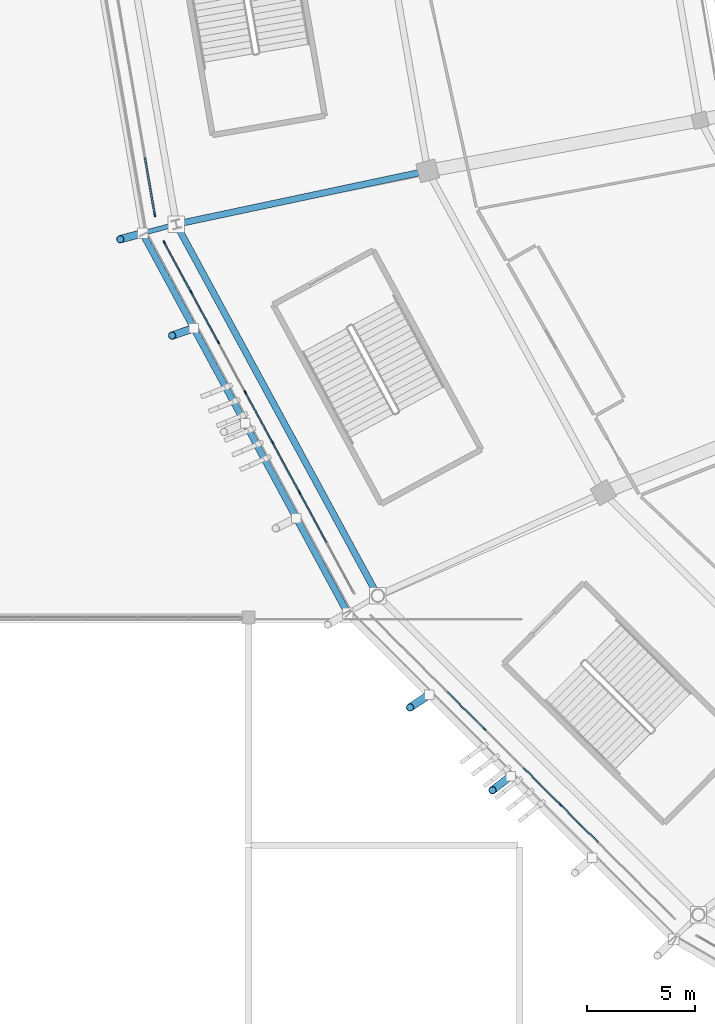
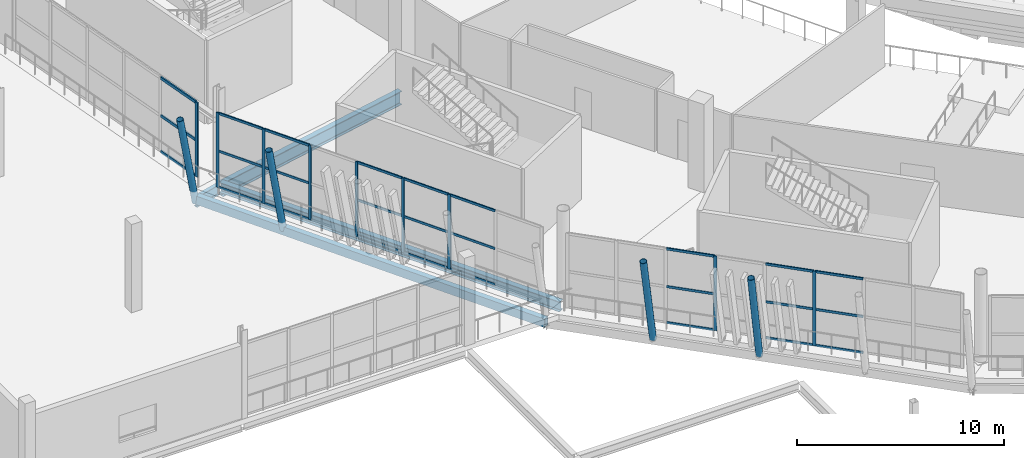
# One storey, part 29 of 178: 40 members, 4 beams, 3 elements without a shape of their own.
"""IFC4 building model written with IfcOpenShell, lengths in metres."""

from ifc_helpers import new_model, si_unit, direction, frame, origin, origin_2d, place, context, subcontext, project, spatial, rectangle, hollow_rectangle, hollow_circle, i_section, extrude, material, material_profile, profile_set, type_object, element, aggregate, save


model = new_model("IFC4")

# Units and contexts
model_context = context("Model", 3, precision=1e-05, world=origin(), true_north=direction((0.0, 1.0)))
body_context = subcontext(model_context, "Body", "Model", "MODEL_VIEW")
ifc_project = project(units=[si_unit("LENGTHUNIT", "METRE"), si_unit("AREAUNIT", "SQUARE_METRE"), si_unit("VOLUMEUNIT", "CUBIC_METRE"), si_unit("PLANEANGLEUNIT", "RADIAN"), si_unit("MASSUNIT", "GRAM", prefix="KILO")], contexts=[model_context])

# Site, building, storey
site_placement = place(None, origin())
site = spatial("IfcSite", under=ifc_project, at=site_placement, CompositionType="ELEMENT")
building_placement = place(site_placement, origin())
building = spatial("IfcBuilding", under=site, at=building_placement, Name="Zlatoyarsky Gate Stadium", CompositionType="ELEMENT")
storey_placement = place(building_placement, frame((0.0, 0.0, 5.39990234375)))
storey = spatial("IfcBuildingStorey", under=building, at=storey_placement, Name="L01", CompositionType="ELEMENT", Elevation=5.39990234375)

# Curtain wall, members
ifc_material_1 = material(Name="Thermally broken anodised aluminium curtain wall", Category="aluminium")
curtain_wall_type_1 = type_object("IfcCurtainWallType", Name="MONUMENTAL ARCHED GATE GLAZING LOWER", PredefinedType="USERDEFINED", material=ifc_material_1)
curtain_wall_1_placement = place(storey_placement, origin())
curtain_wall_1 = element("IfcCurtainWall", 1, at=curtain_wall_1_placement, inside=storey, type_object=curtain_wall_type_1, Name="Curtain wall CW-L01-12", ObjectType="ARCHED GATE GLAZING", PredefinedType="USERDEFINED")
ifc_material_2 = material(Name="Anodised aluminium 6063-T6", Category="aluminium")
ifc_material_profile_1 = material_profile(ifc_material_2, rectangle(XDim=0.074951171875, YDim=0.18994140625, at=origin_2d()), Name="ALU 75X190")
ifc_profile_set_1 = profile_set([ifc_material_profile_1], Name="Anodised aluminium 6063-T6")
member_type_1 = type_object("IfcMemberType", Name="ALUMINIUM GATE MULLION 75X190", PredefinedType="MULLION", material=ifc_profile_set_1)
member_1_placement = place(storey_placement, frame((20.175048828125, 62.066162109375, 0.0), z_axis=(0.0, 0.0, 1.0), x_axis=(0.985538462082, 0.169451880356, 0.0)))
member_1 = element("IfcMember", 2, at=member_1_placement, type_object=member_type_1, Name="CW-AG1 mullion 6", PredefinedType="MULLION", context=body_context, shape_type="SweptSolid", body=[
    extrude(rectangle(XDim=0.074951171875, YDim=0.18994140625, at=origin_2d()), origin(), (0.0, 0.0, 1.0), 4.400146484375),
])
ifc_material_profile_2 = material_profile(ifc_material_2, rectangle(XDim=0.074951171875, YDim=0.169921875, at=origin_2d()), Name="ALU 75X170")
ifc_profile_set_2 = profile_set([ifc_material_profile_2], Name="Anodised aluminium 6063-T6")
member_type_2 = type_object("IfcMemberType", Name="ALUMINIUM GATE TRANSOM 75X170", PredefinedType="USERDEFINED", material=ifc_profile_set_2)
member_2_placement = place(storey_placement, frame((19.720458984375, 64.70947265625, 0.03759765625), z_axis=(0.169501903761, -0.985529859832, 0.0), x_axis=(0.985529859832, 0.169501903761, 0.0)))
member_2 = element("IfcMember", 3, at=member_2_placement, type_object=member_type_2, Name="CW-AG1 transom 5.1", ObjectType="TRANSOM", PredefinedType="USERDEFINED", context=body_context, shape_type="SweptSolid", body=[
    extrude(rectangle(XDim=0.074951171875, YDim=0.169921875, at=origin_2d()), origin(), (0.0, 0.0, 1.0), 2.64453125),
])
member_3_placement = place(storey_placement, frame((19.720458984375, 64.70947265625, 2.150146484375), z_axis=(0.169501903761, -0.985529859832, 0.0), x_axis=(0.985529859832, 0.169501903761, 0.0)))
member_3 = element("IfcMember", 4, at=member_3_placement, type_object=member_type_2, Name="CW-AG1 transom 5.2", ObjectType="TRANSOM", PredefinedType="USERDEFINED", context=body_context, shape_type="SweptSolid", body=[
    extrude(rectangle(XDim=0.074951171875, YDim=0.169921875, at=origin_2d()), origin(), (0.0, 0.0, 1.0), 2.64453125),
])
member_4_placement = place(storey_placement, frame((19.720458984375, 64.70947265625, 4.362548828125), z_axis=(0.169501903761, -0.985529859832, 0.0), x_axis=(0.985529859832, 0.169501903761, 0.0)))
member_4 = element("IfcMember", 5, at=member_4_placement, type_object=member_type_2, Name="CW-AG1 transom 5.3", ObjectType="TRANSOM", PredefinedType="USERDEFINED", context=body_context, shape_type="SweptSolid", body=[
    extrude(rectangle(XDim=0.074951171875, YDim=0.169921875, at=origin_2d()), origin(), (0.0, 0.0, 1.0), 2.64453125),
])
aggregate(curtain_wall_1, [member_1, member_2, member_3, member_4])

curtain_wall_type_2 = type_object("IfcCurtainWallType", Name="UNITISED HOSPITALITY GLAZING L01", PredefinedType="USERDEFINED", material=ifc_material_1)
curtain_wall_2_placement = place(storey_placement, origin())
curtain_wall_2 = element("IfcCurtainWall", 6, at=curtain_wall_2_placement, inside=storey, type_object=curtain_wall_type_2, Name="Curtain wall CW-L01-13", ObjectType="UNITISED GLAZING", PredefinedType="USERDEFINED")
ifc_material_profile_3 = material_profile(ifc_material_2, rectangle(XDim=0.06494140625, YDim=0.159912109375, at=origin_2d()), Name="ALU 65X160")
ifc_profile_set_3 = profile_set([ifc_material_profile_3], Name="Anodised aluminium 6063-T6")
member_type_3 = type_object("IfcMemberType", Name="ALUMINIUM MULLION 65X160", PredefinedType="MULLION", material=ifc_profile_set_3)
member_5_placement = place(storey_placement, frame((20.6162109375, 60.788330078125, 0.0), z_axis=(0.0, 0.0, 1.0), x_axis=(0.879560804301, 0.47578649785, 0.0)))
member_5 = element("IfcMember", 7, at=member_5_placement, type_object=member_type_3, Name="CW-UG1 mullion 1", PredefinedType="MULLION", context=body_context, shape_type="SweptSolid", body=[
    extrude(rectangle(XDim=0.06494140625, YDim=0.159912109375, at=origin_2d()), origin(), (0.0, 0.0, 1.0), 4.400146484375),
])
member_6_placement = place(storey_placement, frame((21.8525390625, 58.502685546875, 0.0), z_axis=(0.0, 0.0, 1.0), x_axis=(0.879560804301, 0.47578649785, 0.0)))
member_6 = element("IfcMember", 8, at=member_6_placement, type_object=member_type_3, Name="CW-UG1 mullion 2", PredefinedType="MULLION", context=body_context, shape_type="SweptSolid", body=[
    extrude(rectangle(XDim=0.06494140625, YDim=0.159912109375, at=origin_2d()), origin(), (0.0, 0.0, 1.0), 4.400146484375),
])
member_7_placement = place(storey_placement, frame((23.1044921875, 56.1884765625, 0.0), z_axis=(0.0, 0.0, 1.0), x_axis=(0.879560804301, 0.47578649785, 0.0)))
member_7 = element("IfcMember", 9, at=member_7_placement, type_object=member_type_3, Name="CW-UG1 mullion 3", PredefinedType="MULLION", context=body_context, shape_type="SweptSolid", body=[
    extrude(rectangle(XDim=0.06494140625, YDim=0.159912109375, at=origin_2d()), origin(), (0.0, 0.0, 1.0), 4.400146484375),
])
member_8_placement = place(storey_placement, frame((24.356201171875, 53.874267578125, 0.0), z_axis=(0.0, 0.0, 1.0), x_axis=(0.879560804301, 0.47578649785, 0.0)))
member_8 = element("IfcMember", 10, at=member_8_placement, type_object=member_type_3, Name="CW-UG1 mullion 4", PredefinedType="MULLION", context=body_context, shape_type="SweptSolid", body=[
    extrude(rectangle(XDim=0.06494140625, YDim=0.159912109375, at=origin_2d()), origin(), (0.0, 0.0, 1.0), 4.400146484375),
])
member_9_placement = place(storey_placement, frame((25.608154296875, 51.56005859375, 0.0), z_axis=(0.0, 0.0, 1.0), x_axis=(0.879560804301, 0.47578649785, 0.0)))
member_9 = element("IfcMember", 11, at=member_9_placement, type_object=member_type_3, Name="CW-UG1 mullion 5", PredefinedType="MULLION", context=body_context, shape_type="SweptSolid", body=[
    extrude(rectangle(XDim=0.06494140625, YDim=0.159912109375, at=origin_2d()), origin(), (0.0, 0.0, 1.0), 4.400146484375),
])
member_10_placement = place(storey_placement, frame((26.85986328125, 49.245849609375, 0.0), z_axis=(0.0, 0.0, 1.0), x_axis=(0.879560804301, 0.47578649785, 0.0)))
member_10 = element("IfcMember", 12, at=member_10_placement, type_object=member_type_3, Name="CW-UG1 mullion 6", PredefinedType="MULLION", context=body_context, shape_type="SweptSolid", body=[
    extrude(rectangle(XDim=0.06494140625, YDim=0.159912109375, at=origin_2d()), origin(), (0.0, 0.0, 1.0), 4.400146484375),
])

curtain_wall_3_placement = place(storey_placement, origin())
curtain_wall_3 = element("IfcCurtainWall", 13, at=curtain_wall_3_placement, inside=storey, type_object=curtain_wall_type_2, Name="Curtain wall CW-L01-14", ObjectType="UNITISED GLAZING", PredefinedType="USERDEFINED")
member_11_placement = place(storey_placement, frame((35.38427734375, 38.34619140625, 0.0), z_axis=(0.0, 0.0, 1.0), x_axis=(0.706373470498, 0.707839332176, 0.0)))
member_11 = element("IfcMember", 14, at=member_11_placement, type_object=member_type_3, Name="CW-UG1 mullion 4", PredefinedType="MULLION", context=body_context, shape_type="SweptSolid", body=[
    extrude(rectangle(XDim=0.06494140625, YDim=0.159912109375, at=origin_2d()), origin(), (0.0, 0.0, 1.0), 4.400146484375),
])
member_12_placement = place(storey_placement, frame((38.88525390625, 34.8525390625, 0.0), z_axis=(0.0, 0.0, 1.0), x_axis=(0.706373470498, 0.707839332176, 0.0)))
member_12 = element("IfcMember", 15, at=member_12_placement, type_object=member_type_3, Name="CW-UG1 mullion 6", PredefinedType="MULLION", context=body_context, shape_type="SweptSolid", body=[
    extrude(rectangle(XDim=0.06494140625, YDim=0.159912109375, at=origin_2d()), origin(), (0.0, 0.0, 1.0), 4.400146484375),
])

# Member
ifc_material_profile_4 = material_profile(ifc_material_2, rectangle(XDim=0.06494140625, YDim=0.139892578125, at=origin_2d()), Name="ALU 65X140")
ifc_profile_set_4 = profile_set([ifc_material_profile_4], Name="Anodised aluminium 6063-T6")
member_type_4 = type_object("IfcMemberType", Name="ALUMINIUM TRANSOM 65X140", PredefinedType="USERDEFINED", material=ifc_profile_set_4)
member_13_placement = place(storey_placement, frame((20.631591796875, 60.759765625, 0.03271484375), z_axis=(0.475811253632, -0.879547412546, 0.0), x_axis=(0.879547412546, 0.475811253632, 0.0)))
member_13 = element("IfcMember", 16, at=member_13_placement, type_object=member_type_4, Name="CW-UG1 transom 1.1", ObjectType="TRANSOM", PredefinedType="USERDEFINED", context=body_context, shape_type="SweptSolid", body=[
    extrude(rectangle(XDim=0.06494140625, YDim=0.139892578125, at=origin_2d()), origin(), (0.0, 0.0, 1.0), 2.53369140625),
])

member_14_placement = place(storey_placement, frame((20.631591796875, 60.759765625, 2.150146484375), z_axis=(0.475811253632, -0.879547412546, 0.0), x_axis=(0.879547412546, 0.475811253632, 0.0)))
member_14 = element("IfcMember", 17, at=member_14_placement, type_object=member_type_4, Name="CW-UG1 transom 1.2", ObjectType="TRANSOM", PredefinedType="USERDEFINED", context=body_context, shape_type="SweptSolid", body=[
    extrude(rectangle(XDim=0.06494140625, YDim=0.139892578125, at=origin_2d()), origin(), (0.0, 0.0, 1.0), 2.53369140625),
])

member_15_placement = place(storey_placement, frame((20.631591796875, 60.759765625, 4.36767578125), z_axis=(0.475811253632, -0.879547412546, 0.0), x_axis=(0.879547412546, 0.475811253632, 0.0)))
member_15 = element("IfcMember", 18, at=member_15_placement, type_object=member_type_4, Name="CW-UG1 transom 1.3", ObjectType="TRANSOM", PredefinedType="USERDEFINED", context=body_context, shape_type="SweptSolid", body=[
    extrude(rectangle(XDim=0.06494140625, YDim=0.139892578125, at=origin_2d()), origin(), (0.0, 0.0, 1.0), 2.53369140625),
])

member_16_placement = place(storey_placement, frame((21.867919921875, 58.47412109375, 0.03271484375), z_axis=(0.475789628306, -0.879559110916, 0.0), x_axis=(0.879559110916, 0.475789628306, 0.0)))
member_16 = element("IfcMember", 19, at=member_16_placement, type_object=member_type_4, Name="CW-UG1 transom 2.1", ObjectType="TRANSOM", PredefinedType="USERDEFINED", context=body_context, shape_type="SweptSolid", body=[
    extrude(rectangle(XDim=0.06494140625, YDim=0.139892578125, at=origin_2d()), origin(), (0.0, 0.0, 1.0), 2.566162109375),
])

member_17_placement = place(storey_placement, frame((21.867919921875, 58.47412109375, 2.150146484375), z_axis=(0.475789628306, -0.879559110916, 0.0), x_axis=(0.879559110916, 0.475789628306, 0.0)))
member_17 = element("IfcMember", 20, at=member_17_placement, type_object=member_type_4, Name="CW-UG1 transom 2.2", ObjectType="TRANSOM", PredefinedType="USERDEFINED", context=body_context, shape_type="SweptSolid", body=[
    extrude(rectangle(XDim=0.06494140625, YDim=0.139892578125, at=origin_2d()), origin(), (0.0, 0.0, 1.0), 2.566162109375),
])

member_18_placement = place(storey_placement, frame((21.867919921875, 58.47412109375, 4.36767578125), z_axis=(0.475789628306, -0.879559110916, 0.0), x_axis=(0.879559110916, 0.475789628306, 0.0)))
member_18 = element("IfcMember", 21, at=member_18_placement, type_object=member_type_4, Name="CW-UG1 transom 2.3", ObjectType="TRANSOM", PredefinedType="USERDEFINED", context=body_context, shape_type="SweptSolid", body=[
    extrude(rectangle(XDim=0.06494140625, YDim=0.139892578125, at=origin_2d()), origin(), (0.0, 0.0, 1.0), 2.566162109375),
])

member_19_placement = place(storey_placement, frame((24.37158203125, 53.845703125, 0.03271484375), z_axis=(0.475789628306, -0.879559110916, 0.0), x_axis=(0.879559110916, 0.475789628306, 0.0)))
member_19 = element("IfcMember", 22, at=member_19_placement, type_object=member_type_4, Name="CW-UG1 transom 4.1", ObjectType="TRANSOM", PredefinedType="USERDEFINED", context=body_context, shape_type="SweptSolid", body=[
    extrude(rectangle(XDim=0.06494140625, YDim=0.139892578125, at=origin_2d()), origin(), (0.0, 0.0, 1.0), 2.566162109375),
])

member_20_placement = place(storey_placement, frame((24.37158203125, 53.845703125, 2.150146484375), z_axis=(0.475789628306, -0.879559110916, 0.0), x_axis=(0.879559110916, 0.475789628306, 0.0)))
member_20 = element("IfcMember", 23, at=member_20_placement, type_object=member_type_4, Name="CW-UG1 transom 4.2", ObjectType="TRANSOM", PredefinedType="USERDEFINED", context=body_context, shape_type="SweptSolid", body=[
    extrude(rectangle(XDim=0.06494140625, YDim=0.139892578125, at=origin_2d()), origin(), (0.0, 0.0, 1.0), 2.566162109375),
])

member_21_placement = place(storey_placement, frame((24.37158203125, 53.845703125, 4.36767578125), z_axis=(0.475789628306, -0.879559110916, 0.0), x_axis=(0.879559110916, 0.475789628306, 0.0)))
member_21 = element("IfcMember", 24, at=member_21_placement, type_object=member_type_4, Name="CW-UG1 transom 4.3", ObjectType="TRANSOM", PredefinedType="USERDEFINED", context=body_context, shape_type="SweptSolid", body=[
    extrude(rectangle(XDim=0.06494140625, YDim=0.139892578125, at=origin_2d()), origin(), (0.0, 0.0, 1.0), 2.566162109375),
])

member_22_placement = place(storey_placement, frame((25.62353515625, 51.531494140625, 0.03271484375), z_axis=(0.475789628306, -0.879559110916, 0.0), x_axis=(0.879559110916, 0.475789628306, 0.0)))
member_22 = element("IfcMember", 25, at=member_22_placement, type_object=member_type_4, Name="CW-UG1 transom 5.1", ObjectType="TRANSOM", PredefinedType="USERDEFINED", context=body_context, shape_type="SweptSolid", body=[
    extrude(rectangle(XDim=0.06494140625, YDim=0.139892578125, at=origin_2d()), origin(), (0.0, 0.0, 1.0), 2.566162109375),
])

member_23_placement = place(storey_placement, frame((25.62353515625, 51.531494140625, 2.150146484375), z_axis=(0.475789628306, -0.879559110916, 0.0), x_axis=(0.879559110916, 0.475789628306, 0.0)))
member_23 = element("IfcMember", 26, at=member_23_placement, type_object=member_type_4, Name="CW-UG1 transom 5.2", ObjectType="TRANSOM", PredefinedType="USERDEFINED", context=body_context, shape_type="SweptSolid", body=[
    extrude(rectangle(XDim=0.06494140625, YDim=0.139892578125, at=origin_2d()), origin(), (0.0, 0.0, 1.0), 2.566162109375),
])

member_24_placement = place(storey_placement, frame((25.62353515625, 51.531494140625, 4.36767578125), z_axis=(0.475789628306, -0.879559110916, 0.0), x_axis=(0.879559110916, 0.475789628306, 0.0)))
member_24 = element("IfcMember", 27, at=member_24_placement, type_object=member_type_4, Name="CW-UG1 transom 5.3", ObjectType="TRANSOM", PredefinedType="USERDEFINED", context=body_context, shape_type="SweptSolid", body=[
    extrude(rectangle(XDim=0.06494140625, YDim=0.139892578125, at=origin_2d()), origin(), (0.0, 0.0, 1.0), 2.566162109375),
])

member_25_placement = place(storey_placement, frame((26.87548828125, 49.21728515625, 0.03271484375), z_axis=(0.475716021552, -0.87959892385, 0.0), x_axis=(0.87959892385, 0.475716021552, 0.0)))
member_25 = element("IfcMember", 28, at=member_25_placement, type_object=member_type_4, Name="CW-UG1 transom 6.1", ObjectType="TRANSOM", PredefinedType="USERDEFINED", context=body_context, shape_type="SweptSolid", body=[
    extrude(rectangle(XDim=0.06494140625, YDim=0.139892578125, at=origin_2d()), origin(), (0.0, 0.0, 1.0), 2.56591796875),
])

member_26_placement = place(storey_placement, frame((26.87548828125, 49.21728515625, 2.150146484375), z_axis=(0.475716021552, -0.87959892385, 0.0), x_axis=(0.87959892385, 0.475716021552, 0.0)))
member_26 = element("IfcMember", 29, at=member_26_placement, type_object=member_type_4, Name="CW-UG1 transom 6.2", ObjectType="TRANSOM", PredefinedType="USERDEFINED", context=body_context, shape_type="SweptSolid", body=[
    extrude(rectangle(XDim=0.06494140625, YDim=0.139892578125, at=origin_2d()), origin(), (0.0, 0.0, 1.0), 2.56591796875),
])

member_27_placement = place(storey_placement, frame((26.87548828125, 49.21728515625, 4.36767578125), z_axis=(0.475716021552, -0.87959892385, 0.0), x_axis=(0.87959892385, 0.475716021552, 0.0)))
member_27 = element("IfcMember", 30, at=member_27_placement, type_object=member_type_4, Name="CW-UG1 transom 6.3", ObjectType="TRANSOM", PredefinedType="USERDEFINED", context=body_context, shape_type="SweptSolid", body=[
    extrude(rectangle(XDim=0.06494140625, YDim=0.139892578125, at=origin_2d()), origin(), (0.0, 0.0, 1.0), 2.56591796875),
])

aggregate(curtain_wall_2, [member_5, member_6, member_7, member_8, member_9, member_10, member_13, member_14, member_15, member_16, member_17, member_18, member_19, member_20, member_21, member_22, member_23, member_24, member_25, member_26, member_27])

member_28_placement = place(storey_placement, frame((33.656982421875, 40.070068359375, 0.03271484375), z_axis=(0.707816167604, -0.70639668238, 0.0), x_axis=(0.70639668238, 0.707816167604, 0.0)))
member_28 = element("IfcMember", 31, at=member_28_placement, type_object=member_type_4, Name="CW-UG1 transom 3.1", ObjectType="TRANSOM", PredefinedType="USERDEFINED", context=body_context, shape_type="SweptSolid", body=[
    extrude(rectangle(XDim=0.06494140625, YDim=0.139892578125, at=origin_2d()), origin(), (0.0, 0.0, 1.0), 2.407958984375),
])

member_29_placement = place(storey_placement, frame((33.656982421875, 40.070068359375, 2.150146484375), z_axis=(0.707816167604, -0.70639668238, 0.0), x_axis=(0.70639668238, 0.707816167604, 0.0)))
member_29 = element("IfcMember", 32, at=member_29_placement, type_object=member_type_4, Name="CW-UG1 transom 3.2", ObjectType="TRANSOM", PredefinedType="USERDEFINED", context=body_context, shape_type="SweptSolid", body=[
    extrude(rectangle(XDim=0.06494140625, YDim=0.139892578125, at=origin_2d()), origin(), (0.0, 0.0, 1.0), 2.407958984375),
])

member_30_placement = place(storey_placement, frame((33.656982421875, 40.070068359375, 4.36767578125), z_axis=(0.707816167604, -0.70639668238, 0.0), x_axis=(0.70639668238, 0.707816167604, 0.0)))
member_30 = element("IfcMember", 33, at=member_30_placement, type_object=member_type_4, Name="CW-UG1 transom 3.3", ObjectType="TRANSOM", PredefinedType="USERDEFINED", context=body_context, shape_type="SweptSolid", body=[
    extrude(rectangle(XDim=0.06494140625, YDim=0.139892578125, at=origin_2d()), origin(), (0.0, 0.0, 1.0), 2.407958984375),
])

member_31_placement = place(storey_placement, frame((37.15771484375, 36.576416015625, 0.03271484375), z_axis=(0.707866756289, -0.706345988408, 0.0), x_axis=(0.706345988408, 0.707866756289, 0.0)))
member_31 = element("IfcMember", 34, at=member_31_placement, type_object=member_type_4, Name="CW-UG1 transom 5.1", ObjectType="TRANSOM", PredefinedType="USERDEFINED", context=body_context, shape_type="SweptSolid", body=[
    extrude(rectangle(XDim=0.06494140625, YDim=0.139892578125, at=origin_2d()), origin(), (0.0, 0.0, 1.0), 2.407958984375),
])

member_32_placement = place(storey_placement, frame((37.15771484375, 36.576416015625, 2.150146484375), z_axis=(0.707866756289, -0.706345988408, 0.0), x_axis=(0.706345988408, 0.707866756289, 0.0)))
member_32 = element("IfcMember", 35, at=member_32_placement, type_object=member_type_4, Name="CW-UG1 transom 5.2", ObjectType="TRANSOM", PredefinedType="USERDEFINED", context=body_context, shape_type="SweptSolid", body=[
    extrude(rectangle(XDim=0.06494140625, YDim=0.139892578125, at=origin_2d()), origin(), (0.0, 0.0, 1.0), 2.407958984375),
])

member_33_placement = place(storey_placement, frame((37.15771484375, 36.576416015625, 4.36767578125), z_axis=(0.707866756289, -0.706345988408, 0.0), x_axis=(0.706345988408, 0.707866756289, 0.0)))
member_33 = element("IfcMember", 36, at=member_33_placement, type_object=member_type_4, Name="CW-UG1 transom 5.3", ObjectType="TRANSOM", PredefinedType="USERDEFINED", context=body_context, shape_type="SweptSolid", body=[
    extrude(rectangle(XDim=0.06494140625, YDim=0.139892578125, at=origin_2d()), origin(), (0.0, 0.0, 1.0), 2.407958984375),
])

member_34_placement = place(storey_placement, frame((38.908203125, 34.82958984375, 0.03271484375), z_axis=(0.707866756289, -0.706345988408, 0.0), x_axis=(0.706345988408, 0.707866756289, 0.0)))
member_34 = element("IfcMember", 37, at=member_34_placement, type_object=member_type_4, Name="CW-UG1 transom 6.1", ObjectType="TRANSOM", PredefinedType="USERDEFINED", context=body_context, shape_type="SweptSolid", body=[
    extrude(rectangle(XDim=0.06494140625, YDim=0.139892578125, at=origin_2d()), origin(), (0.0, 0.0, 1.0), 2.407958984375),
])

member_35_placement = place(storey_placement, frame((38.908203125, 34.82958984375, 2.150146484375), z_axis=(0.707866756289, -0.706345988408, 0.0), x_axis=(0.706345988408, 0.707866756289, 0.0)))
member_35 = element("IfcMember", 38, at=member_35_placement, type_object=member_type_4, Name="CW-UG1 transom 6.2", ObjectType="TRANSOM", PredefinedType="USERDEFINED", context=body_context, shape_type="SweptSolid", body=[
    extrude(rectangle(XDim=0.06494140625, YDim=0.139892578125, at=origin_2d()), origin(), (0.0, 0.0, 1.0), 2.407958984375),
])

member_36_placement = place(storey_placement, frame((38.908203125, 34.82958984375, 4.36767578125), z_axis=(0.707866756289, -0.706345988408, 0.0), x_axis=(0.706345988408, 0.707866756289, 0.0)))
member_36 = element("IfcMember", 39, at=member_36_placement, type_object=member_type_4, Name="CW-UG1 transom 6.3", ObjectType="TRANSOM", PredefinedType="USERDEFINED", context=body_context, shape_type="SweptSolid", body=[
    extrude(rectangle(XDim=0.06494140625, YDim=0.139892578125, at=origin_2d()), origin(), (0.0, 0.0, 1.0), 2.407958984375),
])

aggregate(curtain_wall_3, [member_11, member_12, member_28, member_29, member_30, member_31, member_32, member_33, member_34, member_35, member_36])

# Beam
ifc_material_3 = material(Name="Steel S355", Category="steel")
ifc_material_profile_5 = material_profile(ifc_material_3, i_section(OverallWidth=0.219970703125, OverallDepth=0.60009765625, WebThickness=0.011962890625, FlangeThickness=0.01904296875, FilletRadius=0.02392578125, at=origin_2d()), Name="IPE 600")
ifc_profile_set_5 = profile_set([ifc_material_profile_5], Name="Steel S355")
beam_type_1 = type_object("IfcBeamType", Name="STEEL CANTILEVER FLOOR BEAM IPE 600", PredefinedType="BEAM", material=ifc_profile_set_5)
beam_1_placement = place(storey_placement, frame((21.052978515625, 61.5927734375, -0.760009765625), z_axis=(-0.965923890569, -0.2588262692, 0.0), x_axis=(0.2588262692, -0.965923890569, 0.0)))
element("IfcBeam", 40, at=beam_1_placement, inside=storey, type_object=beam_type_1, Name="Beam B-IPE600 BM-L01-OUT-13", PredefinedType="BEAM", context=body_context, shape_type="SweptSolid", body=[
    extrude(i_section(OverallWidth=0.219970703125, OverallDepth=0.60009765625, WebThickness=0.011962890625, FlangeThickness=0.01904296875, FilletRadius=0.02392578125, at=origin_2d()), origin(), (0.0, 0.0, 1.0), 1.488525390625),
])

# Members
ifc_material_profile_6 = material_profile(ifc_material_3, hollow_circle(Radius=0.177734375, WallThickness=0.02001953125, at=origin_2d()), Name="CHS 355.6X20")
ifc_profile_set_6 = profile_set([ifc_material_profile_6], Name="Steel S355")
member_type_5 = type_object("IfcMemberType", Name="STEEL LEANING RIB RING STRUT CHS 355.6X20", PredefinedType="STRUT", material=ifc_profile_set_6)
member_37_placement = place(storey_placement, frame((19.615234375, 61.20751953125, -0.760009765625), z_axis=(-0.187969007318, -0.050341687728, 0.980883972121), x_axis=(0.258701784688, -0.965957238494, 0.0)))
element("IfcMember", 41, at=member_37_placement, inside=storey, type_object=member_type_5, Name="Leaning ring strut 13 L01 to L02", PredefinedType="STRUT", context=body_context, shape_type="SweptSolid", body=[
    extrude(hollow_circle(Radius=0.177734375, WallThickness=0.02001953125, at=origin_2d()), origin(), (0.0, 0.0, 1.0), 5.48486328125),
])
for number, where, z_axis, x_axis, name in (
    (42, (21.97802734375, 56.82958984375, -0.5498046875), (-0.18856127959, -0.063938499035, 0.979977812086), (0.321126768229, -0.947036218276, 0.0), "Outward-leaning bowl louvre fin rib L01 13-1"),
    (43, (32.825439453125, 39.936279296875, -0.5498046875), (-0.165598335218, -0.110551670231, 0.979977305646), (0.555231303326, -0.831695977992, 0.0), "Outward-leaning bowl louvre fin rib L01 14-1"),
):
    element("IfcMember", number, at=place(storey_placement, frame(where, z_axis=z_axis, x_axis=x_axis)), inside=storey, type_object=member_type_5, Name=name, PredefinedType="STRUT", context=body_context, shape_type="SweptSolid", body=[
        extrude(hollow_circle(Radius=0.177734375, WallThickness=0.02001953125, at=origin_2d()), origin(), (0.0, 0.0, 1.0), 5.32666015625),
    ])
member_38_placement = place(storey_placement, frame((36.584228515625, 36.177001953125, -0.5498046875), z_axis=(-0.157681237905, -0.120965345009, 0.980053066175), x_axis=(0.608673620546, -0.793420710375, 0.0)))
element("IfcMember", 44, at=member_38_placement, inside=storey, type_object=member_type_5, Name="Outward-leaning bowl louvre fin rib L01 14-2", PredefinedType="STRUT", context=body_context, shape_type="SweptSolid", body=[
    extrude(hollow_circle(Radius=0.177734375, WallThickness=0.02001953125, at=origin_2d()), origin(), (0.0, 0.0, 1.0), 5.326171875),
])

# Beams
ifc_material_profile_7 = material_profile(ifc_material_3, hollow_rectangle(XDim=0.300048828125, YDim=0.5, WallThickness=0.02001953125, at=origin_2d()), Name="RHS 500X300X20")
ifc_profile_set_7 = profile_set([ifc_material_profile_7], Name="Steel S355")
beam_type_2 = type_object("IfcBeamType", Name="STEEL LOUVRE CARRIER SPANDREL RHS 500X300X20", PredefinedType="SPANDREL", material=ifc_profile_set_7)
beam_2_placement = place(storey_placement, frame((19.624755859375, 61.18994140625, -0.5498046875), z_axis=(0.474955117661, -0.880010020516, 0.0), x_axis=(0.880010020516, 0.474955117661, 0.0)))
element("IfcBeam", 45, at=beam_2_placement, inside=storey, type_object=beam_type_2, Name="Beam SP-RHS500 BM-L01-SPD-13", PredefinedType="SPANDREL", context=body_context, shape_type="SweptSolid", body=[
    extrude(hollow_rectangle(XDim=0.300048828125, YDim=0.5, WallThickness=0.02001953125, at=origin_2d()), origin(), (0.0, 0.0, 1.0), 19.859619140625),
])
ifc_material_profile_8 = material_profile(ifc_material_3, i_section(OverallWidth=0.300048828125, OverallDepth=0.60009765625, WebThickness=0.015380859375, FlangeThickness=0.030029296875, FilletRadius=0.027099609375, at=origin_2d()), Name="HEB 600")
ifc_profile_set_8 = profile_set([ifc_material_profile_8], Name="Steel S355")
beam_type_3 = type_object("IfcBeamType", Name="STEEL PRIMARY GIRDER HEB 600", PredefinedType="BEAM", material=ifc_profile_set_8)
beam_3_placement = place(storey_placement, frame((21.22607421875, 61.518310546875, -0.599853515625), z_axis=(0.476891650323, -0.878962088973, 0.0), x_axis=(0.878962088973, 0.476891650323, 0.0)))
element("IfcBeam", 46, at=beam_3_placement, inside=storey, type_object=beam_type_3, Name="Beam G-HEB600 BM-L01-CRC-13", PredefinedType="BEAM", context=body_context, shape_type="SweptSolid", body=[
    extrude(i_section(OverallWidth=0.300048828125, OverallDepth=0.60009765625, WebThickness=0.015380859375, FlangeThickness=0.030029296875, FilletRadius=0.027099609375, at=origin_2d()), origin(), (0.0, 0.0, 1.0), 19.241943359375),
])
ifc_material_profile_9 = material_profile(ifc_material_3, i_section(OverallWidth=0.300048828125, OverallDepth=0.800048828125, WebThickness=0.017578125, FlangeThickness=0.032958984375, FilletRadius=0.030029296875, at=origin_2d()), Name="HEB 800")
ifc_profile_set_9 = profile_set([ifc_material_profile_9], Name="Steel S355")
beam_type_4 = type_object("IfcBeamType", Name="STEEL PRIMARY GIRDER HEB 800", PredefinedType="BEAM", material=ifc_profile_set_9)
beam_4_placement = place(storey_placement, frame((32.642578125, 64.0576171875, -0.85986328125), z_axis=(-0.978233348926, -0.207507867438, 0.0), x_axis=(0.207507867438, -0.978233348926, 0.0)))
element("IfcBeam", 47, at=beam_4_placement, inside=storey, type_object=beam_type_4, Name="Beam G-HEB800 BM-L01-RBC-13", PredefinedType="BEAM", context=body_context, shape_type="SweptSolid", body=[
    extrude(i_section(OverallWidth=0.300048828125, OverallDepth=0.800048828125, WebThickness=0.017578125, FlangeThickness=0.032958984375, FilletRadius=0.030029296875, at=origin_2d()), origin(), (0.0, 0.0, 1.0), 11.60888671875),
])

save(model, "model.ifc")
